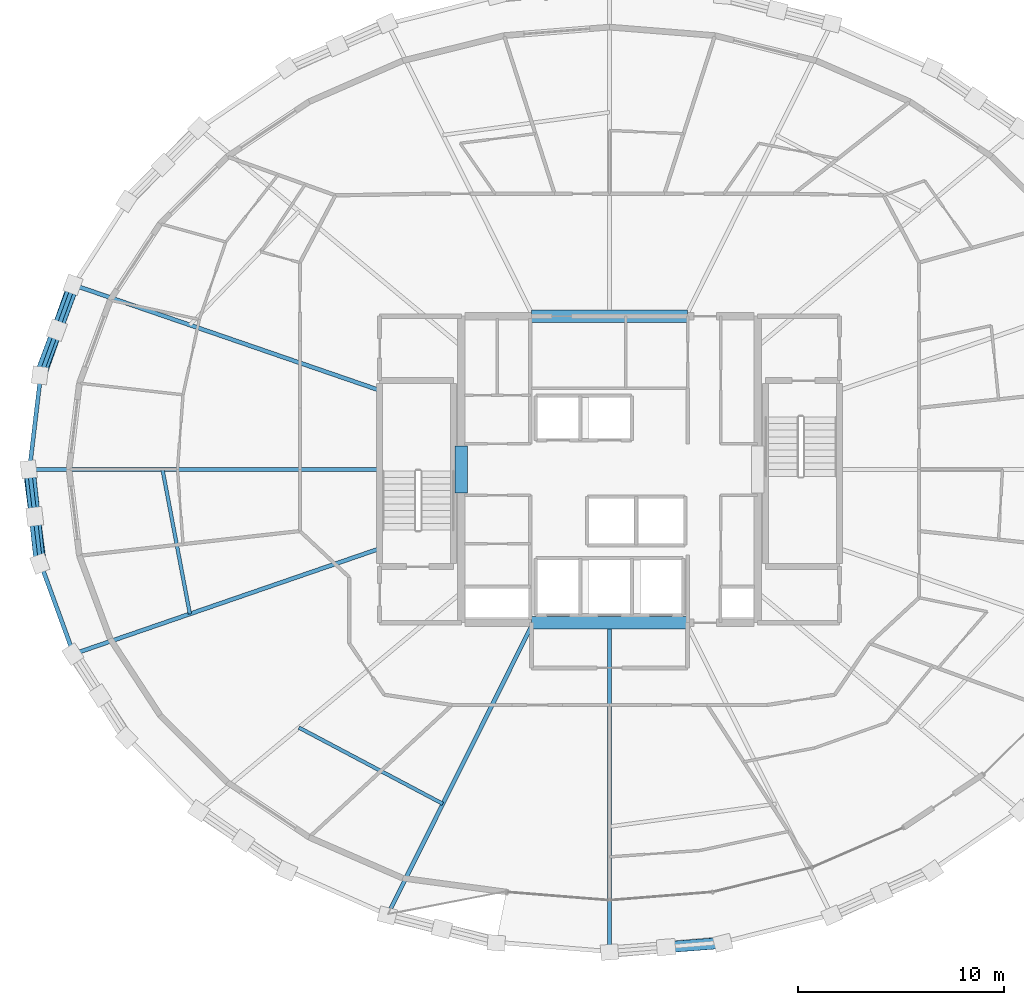
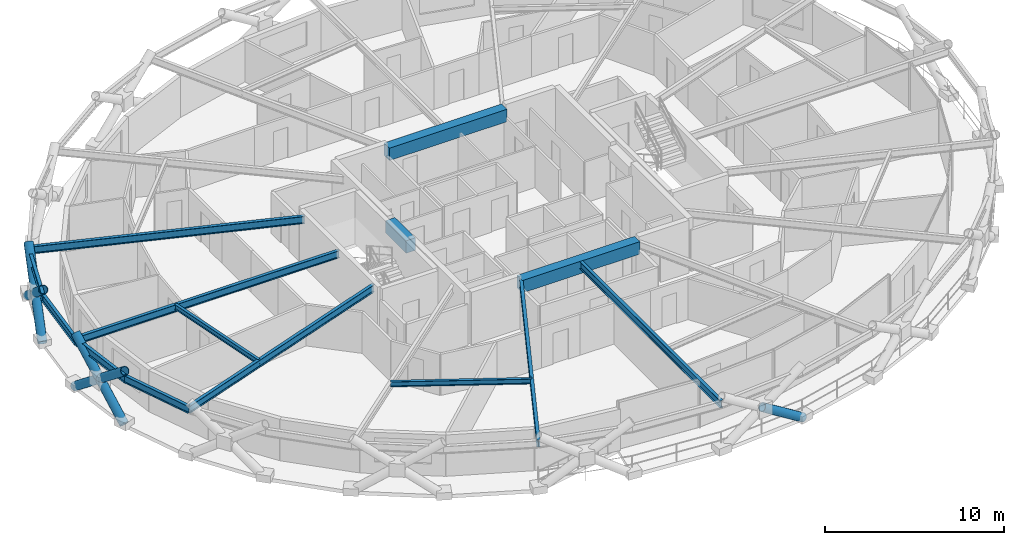
# One storey, part 3 of 19: 14 beams, 7 members.
"""IFC4 building model written with IfcOpenShell, lengths in metres."""

from ifc_helpers import new_model, si_unit, direction, frame, origin, origin_2d, place, context, subcontext, project, spatial, rectangle, hollow_circle, i_section, extrude, material, material_profile, profile_set, type_object, element, save


model = new_model("IFC4")

# Units and contexts
model_context = context("Model", 3, precision=1e-05, world=origin(), true_north=direction((0.0, 1.0)))
body_context = subcontext(model_context, "Body", "Model", "MODEL_VIEW")
ifc_project = project(units=[si_unit("LENGTHUNIT", "METRE"), si_unit("AREAUNIT", "SQUARE_METRE"), si_unit("VOLUMEUNIT", "CUBIC_METRE"), si_unit("PLANEANGLEUNIT", "RADIAN"), si_unit("MASSUNIT", "GRAM", prefix="KILO")], contexts=[model_context])

# Site, building, storey
site_placement = place(None, origin())
site = spatial("IfcSite", under=ifc_project, at=site_placement, CompositionType="ELEMENT")
building_placement = place(site_placement, origin())
building = spatial("IfcBuilding", under=site, at=building_placement, Name="Veldorina Hangang Commons", CompositionType="ELEMENT")
storey_placement = place(building_placement, frame((0.0, 0.0, 156.800048828125)))
storey = spatial("IfcBuildingStorey", under=building, at=storey_placement, Name="L40", CompositionType="ELEMENT", Elevation=156.800048828125)

# Beams
ifc_material_1 = material(Name="Concrete C60/75", Category="concrete")
ifc_material_profile_1 = material_profile(ifc_material_1, rectangle(XDim=0.60009765625, YDim=0.85009765625, at=origin_2d()), Name="RC-CB-600x850")
ifc_profile_set_1 = profile_set([ifc_material_profile_1], Name="Concrete C60/75")
beam_type_1 = type_object("IfcBeamType", Name="BM-CB850", PredefinedType="LINTEL", material=ifc_profile_set_1)
beam_1_placement = place(storey_placement, frame((24.800048828125, 22.85009765625, 2.925048828125), z_axis=(0.0, 1.0, 0.0), x_axis=(-1.0, 0.0, 0.0)))
element("IfcBeam", 1, at=beam_1_placement, inside=storey, type_object=beam_type_1, Name="L40 W core coupling lintel beam", PredefinedType="LINTEL", context=body_context, shape_type="SweptSolid", body=[
    extrude(rectangle(XDim=0.60009765625, YDim=0.85009765625, at=origin_2d()), origin(), (0.0, 0.0, 1.0), 2.2998046875),
])
for number, where, z_axis, x_axis, name in (
    (2, (28.199951171875, 16.550048828125, 2.925048828125), (1.0, 0.0, 0.0), (0.0, 1.0, 0.0), "L40 south core coupling beam"),
    (3, (28.199951171875, 31.449951171875, 2.925048828125), (1.0, 0.0, 0.0), (0.0, 1.0, 0.0), "L40 north core coupling beam"),
):
    element("IfcBeam", number, at=place(storey_placement, frame(where, z_axis=z_axis, x_axis=x_axis)), inside=storey, type_object=beam_type_1, Name=name, PredefinedType="LINTEL", context=body_context, shape_type="SweptSolid", body=[
        extrude(rectangle(XDim=0.60009765625, YDim=0.85009765625, at=origin_2d()), origin(), (0.0, 0.0, 1.0), 7.60009765625),
    ])
ifc_material_2 = material(Name="Steel SM420-TMC", Category="steel")
ifc_material_profile_2 = material_profile(ifc_material_2, i_section(OverallWidth=0.199951171875, OverallDepth=0.5, WebThickness=0.010009765625, FlangeThickness=0.01611328125, FilletRadius=0.01611328125, at=origin_2d()), Name="H-500x200x10x16")
ifc_profile_set_2 = profile_set([ifc_material_profile_2], Name="Steel SM420-TMC")
beam_type_2 = type_object("IfcBeamType", Name="BM-FG500", PredefinedType="BEAM", material=ifc_profile_set_2)
beam_2_placement = place(storey_placement, frame((20.820068359375, 27.849365234375, 3.099853515625), z_axis=(-0.945527793792, 0.32554138165, 0.0), x_axis=(-0.32554138165, -0.945527793792, 0.0)))
element("IfcBeam", 4, at=beam_2_placement, inside=storey, type_object=beam_type_2, Name="L40 radial floor girder 08", PredefinedType="BEAM", context=body_context, shape_type="SweptSolid", body=[
    extrude(i_section(OverallWidth=0.199951171875, OverallDepth=0.5, WebThickness=0.010009765625, FlangeThickness=0.01611328125, FilletRadius=0.01611328125, at=origin_2d()), origin(), (0.0, 0.0, 1.0), 15.725830078125),
])
beam_3_placement = place(storey_placement, frame((20.820068359375, 24.0, 3.099853515625), z_axis=(-1.0, 0.0, 0.0), x_axis=(0.0, -1.0, 0.0)))
element("IfcBeam", 5, at=beam_3_placement, inside=storey, type_object=beam_type_2, Name="L40 radial floor girder 09", PredefinedType="BEAM", context=body_context, shape_type="SweptSolid", body=[
    extrude(i_section(OverallWidth=0.199951171875, OverallDepth=0.5, WebThickness=0.010009765625, FlangeThickness=0.01611328125, FilletRadius=0.01611328125, at=origin_2d()), origin(), (0.0, 0.0, 1.0), 17.015380859375),
])
beam_4_placement = place(storey_placement, frame((20.820068359375, 20.150634765625, 3.099853515625), z_axis=(-0.945527793792, -0.32554138165, 0.0), x_axis=(0.32554138165, -0.945527793792, 0.0)))
element("IfcBeam", 6, at=beam_4_placement, inside=storey, type_object=beam_type_2, Name="L40 radial floor girder 10", PredefinedType="BEAM", context=body_context, shape_type="SweptSolid", body=[
    extrude(i_section(OverallWidth=0.199951171875, OverallDepth=0.5, WebThickness=0.010009765625, FlangeThickness=0.01611328125, FilletRadius=0.01611328125, at=origin_2d()), origin(), (0.0, 0.0, 1.0), 15.725830078125),
])
beam_5_placement = place(storey_placement, frame((28.28759765625, 16.550048828125, 3.099853515625), z_axis=(-0.446006974512, -0.895029484814, 0.0), x_axis=(0.895029484814, -0.446006974512, 0.0)))
element("IfcBeam", 7, at=beam_5_placement, inside=storey, type_object=beam_type_2, Name="L40 radial floor girder 12", PredefinedType="BEAM", context=body_context, shape_type="SweptSolid", body=[
    extrude(i_section(OverallWidth=0.199951171875, OverallDepth=0.5, WebThickness=0.010009765625, FlangeThickness=0.01611328125, FilletRadius=0.01611328125, at=origin_2d()), origin(), (0.0, 0.0, 1.0), 15.868408203125),
])
beam_6_placement = place(storey_placement, frame((32.0, 16.550048828125, 3.099853515625), z_axis=(0.0, -1.0, 0.0), x_axis=(1.0, 0.0, 0.0)))
element("IfcBeam", 8, at=beam_6_placement, inside=storey, type_object=beam_type_2, Name="L40 radial floor girder 13", PredefinedType="BEAM", context=body_context, shape_type="SweptSolid", body=[
    extrude(i_section(OverallWidth=0.199951171875, OverallDepth=0.5, WebThickness=0.010009765625, FlangeThickness=0.01611328125, FilletRadius=0.01611328125, at=origin_2d()), origin(), (0.0, 0.0, 1.0), 15.98681640625),
])
ifc_material_3 = material(Name="Steel SM355-TMC", Category="steel")
ifc_material_profile_3 = material_profile(ifc_material_3, i_section(OverallWidth=0.175048828125, OverallDepth=0.35009765625, WebThickness=0.007080078125, FlangeThickness=0.010986328125, FilletRadius=0.012939453125, at=origin_2d()), Name="H-350x175x7x11")
ifc_profile_set_3 = profile_set([ifc_material_profile_3], Name="Steel SM355-TMC")
beam_type_3 = type_object("IfcBeamType", Name="BM-JST350", PredefinedType="JOIST", material=ifc_profile_set_3)
beam_7_placement = place(storey_placement, frame((10.2705078125, 24.0, 3.175048828125), z_axis=(0.186168811823, -0.982517772615, 0.0), x_axis=(0.982517772615, 0.186168811823, 0.0)))
element("IfcBeam", 9, at=beam_7_placement, inside=storey, type_object=beam_type_3, Name="L40 secondary floor joist 09", PredefinedType="JOIST", context=body_context, shape_type="SweptSolid", body=[
    extrude(i_section(OverallWidth=0.175048828125, OverallDepth=0.35009765625, WebThickness=0.007080078125, FlangeThickness=0.010986328125, FilletRadius=0.012939453125, at=origin_2d()), origin(), (0.0, 0.0, 1.0), 7.1484375),
])
beam_8_placement = place(storey_placement, frame((16.903076171875, 11.450927734375, 3.175048828125), z_axis=(0.883658877322, -0.468131379562, 0.0), x_axis=(0.468131379562, 0.883658877322, 0.0)))
element("IfcBeam", 10, at=beam_8_placement, inside=storey, type_object=beam_type_3, Name="L40 secondary floor joist 11", PredefinedType="JOIST", context=body_context, shape_type="SweptSolid", body=[
    extrude(i_section(OverallWidth=0.175048828125, OverallDepth=0.35009765625, WebThickness=0.007080078125, FlangeThickness=0.010986328125, FilletRadius=0.012939453125, at=origin_2d()), origin(), (0.0, 0.0, 1.0), 7.917724609375),
])
ifc_material_profile_4 = material_profile(ifc_material_2, i_section(OverallWidth=0.199951171875, OverallDepth=0.5, WebThickness=0.010009765625, FlangeThickness=0.01611328125, FilletRadius=0.01611328125, at=origin_2d()), Name="H-500x200x10x16")
ifc_profile_set_4 = profile_set([ifc_material_profile_4], Name="Steel SM420-TMC")
beam_type_4 = type_object("IfcBeamType", Name="BM-RB500", PredefinedType="BEAM", material=ifc_profile_set_4)
beam_9_placement = place(storey_placement, frame((5.950927734375, 32.96875, 3.099853515625), z_axis=(-0.342831836601, -0.939396791464, 0.0), x_axis=(0.939396791464, -0.342831836601, 0.0)))
element("IfcBeam", 11, at=beam_9_placement, inside=storey, type_object=beam_type_4, Name="L40 perimeter hoop ring beam 14", PredefinedType="BEAM", context=body_context, shape_type="SweptSolid", body=[
    extrude(i_section(OverallWidth=0.199951171875, OverallDepth=0.5, WebThickness=0.010009765625, FlangeThickness=0.01611328125, FilletRadius=0.01611328125, at=origin_2d()), origin(), (0.0, 0.0, 1.0), 4.68017578125),
])
for number, where, z_axis, x_axis, name in (
    (12, (4.346435546875, 28.572265625, 3.099853515625), (-0.117662643849, -0.993053625059, 0.0), (0.993053625059, -0.117662643849, 0.0), "L40 perimeter hoop ring beam 15"),
    (13, (3.8046875, 24.0, 3.099853515625), (0.117662643849, -0.993053625059, 0.0), (0.993053625059, 0.117662643849, 0.0), "L40 perimeter hoop ring beam 16"),
):
    element("IfcBeam", number, at=place(storey_placement, frame(where, z_axis=z_axis, x_axis=x_axis)), inside=storey, type_object=beam_type_4, Name=name, PredefinedType="BEAM", context=body_context, shape_type="SweptSolid", body=[
        extrude(i_section(OverallWidth=0.199951171875, OverallDepth=0.5, WebThickness=0.010009765625, FlangeThickness=0.01611328125, FilletRadius=0.01611328125, at=origin_2d()), origin(), (0.0, 0.0, 1.0), 4.604248046875),
    ])
beam_10_placement = place(storey_placement, frame((4.346435546875, 19.427734375, 3.099853515625), z_axis=(0.342831836601, -0.939396791464, 0.0), x_axis=(0.939396791464, 0.342831836601, 0.0)))
element("IfcBeam", 14, at=beam_10_placement, inside=storey, type_object=beam_type_4, Name="L40 perimeter hoop ring beam 17", PredefinedType="BEAM", context=body_context, shape_type="SweptSolid", body=[
    extrude(i_section(OverallWidth=0.199951171875, OverallDepth=0.5, WebThickness=0.010009765625, FlangeThickness=0.01611328125, FilletRadius=0.01611328125, at=origin_2d()), origin(), (0.0, 0.0, 1.0), 4.68017578125),
])

# Members
ifc_material_profile_5 = material_profile(ifc_material_2, hollow_circle(Radius=0.27490234375, WallThickness=0.028076171875, at=origin_2d()), Name="CHS-550x28")
ifc_profile_set_5 = profile_set([ifc_material_profile_5], Name="Steel SM420-TMC")
member_type = type_object("IfcMemberType", Name="DG-CHS550", PredefinedType="BRACE", material=ifc_profile_set_5)
member_1_placement = place(storey_placement, frame((5.914306640625, 32.9794921875, 0.0), z_axis=(-0.264590678931, -0.746943292491, 0.609973352226), x_axis=(0.942608057054, -0.333901259023, 0.0)))
element("IfcMember", 15, at=member_1_placement, inside=storey, type_object=member_type, Name="L40 continuous perimeter diagrid brace 14", PredefinedType="BRACE", context=body_context, shape_type="SweptSolid", body=[
    extrude(hollow_circle(Radius=0.27490234375, WallThickness=0.028076171875, at=origin_2d()), origin(), (0.0, 0.0, 1.0), 5.901611328125),
])
member_2_placement = place(storey_placement, frame((4.3076171875, 28.57763671875, 0.0), z_axis=(0.279055719466, 0.742497856348, 0.608953888855), x_axis=(-0.936072355381, 0.351807540412, 0.0)))
element("IfcMember", 16, at=member_2_placement, inside=storey, type_object=member_type, Name="L40 split perimeter diagrid lower brace 15", PredefinedType="BRACE", context=body_context, shape_type="SweptSolid", body=[
    extrude(hollow_circle(Radius=0.27490234375, WallThickness=0.028076171875, at=origin_2d()), origin(), (0.0, 0.0, 1.0), 2.9580078125),
])
member_3_placement = place(storey_placement, frame((5.133056640625, 30.77392578125, 1.80126953125), z_axis=(0.278899315092, 0.742546694567, 0.608965991192), x_axis=(-0.936144891663, 0.351614478957, 0.0)))
element("IfcMember", 17, at=member_3_placement, inside=storey, type_object=member_type, Name="L40 split perimeter diagrid upper brace 15", PredefinedType="BRACE", context=body_context, shape_type="SweptSolid", body=[
    extrude(hollow_circle(Radius=0.27490234375, WallThickness=0.028076171875, at=origin_2d()), origin(), (0.0, 0.0, 1.0), 2.95361328125),
])
member_4_placement = place(storey_placement, frame((3.76513671875, 24.0, 0.0), z_axis=(0.10048402211, -0.781662995422, 0.615553346907), x_axis=(0.991838263641, 0.127502387342, 0.0)))
element("IfcMember", 18, at=member_4_placement, inside=storey, type_object=member_type, Name="L40 continuous perimeter diagrid brace 16", PredefinedType="BRACE", context=body_context, shape_type="SweptSolid", body=[
    extrude(hollow_circle(Radius=0.27490234375, WallThickness=0.028076171875, at=origin_2d()), origin(), (0.0, 0.0, 1.0), 5.84814453125),
])
member_5_placement = place(storey_placement, frame((4.3076171875, 19.42236328125, 0.0), z_axis=(-0.084988588464, 0.783180695851, 0.615958551752), x_axis=(-0.994163504531, -0.107883855411, 0.0)))
element("IfcMember", 19, at=member_5_placement, inside=storey, type_object=member_type, Name="L40 split perimeter diagrid lower brace 17", PredefinedType="BRACE", context=body_context, shape_type="SweptSolid", body=[
    extrude(hollow_circle(Radius=0.27490234375, WallThickness=0.028076171875, at=origin_2d()), origin(), (0.0, 0.0, 1.0), 2.92431640625),
])
member_6_placement = place(storey_placement, frame((4.05908203125, 21.712646484375, 1.80126953125), z_axis=(-0.08485451295, 0.783253134806, 0.615884923057), x_axis=(-0.994182811477, -0.107705790762, 0.0)))
element("IfcMember", 20, at=member_6_placement, inside=storey, type_object=member_type, Name="L40 split perimeter diagrid upper brace 17", PredefinedType="BRACE", context=body_context, shape_type="SweptSolid", body=[
    extrude(hollow_circle(Radius=0.27490234375, WallThickness=0.028076171875, at=origin_2d()), origin(), (0.0, 0.0, 1.0), 2.92041015625),
])
member_7_placement = place(storey_placement, frame((37.50830078125, 0.986572265625, 0.0), z_axis=(-0.835380275203, -0.063485941198, 0.545993892889), x_axis=(0.075777945785, -0.997124717843, 0.0)))
element("IfcMember", 21, at=member_7_placement, inside=storey, type_object=member_type, Name="L40 split perimeter diagrid lower brace 25", PredefinedType="BRACE", context=body_context, shape_type="SweptSolid", body=[
    extrude(hollow_circle(Radius=0.27490234375, WallThickness=0.028076171875, at=origin_2d()), origin(), (0.0, 0.0, 1.0), 3.299560546875),
])

save(model, "model.ifc")
